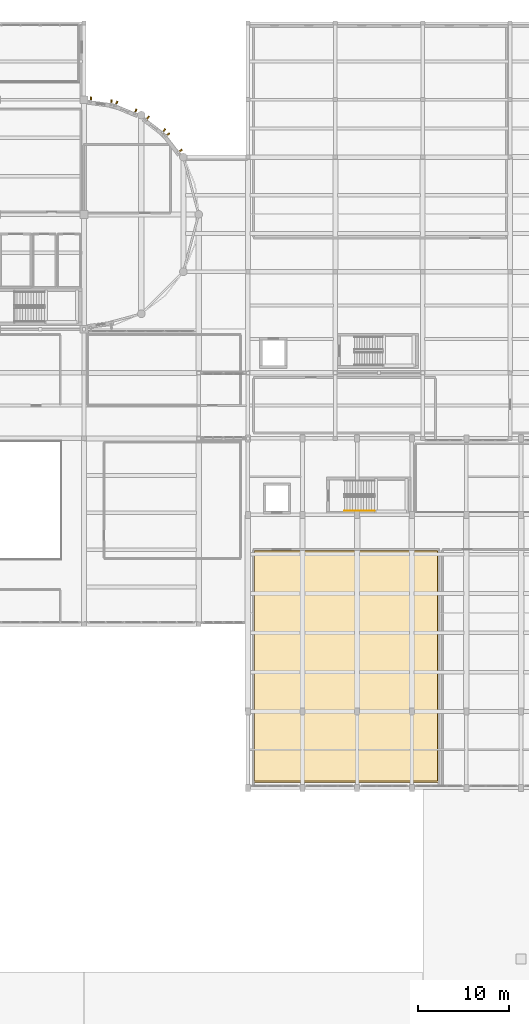
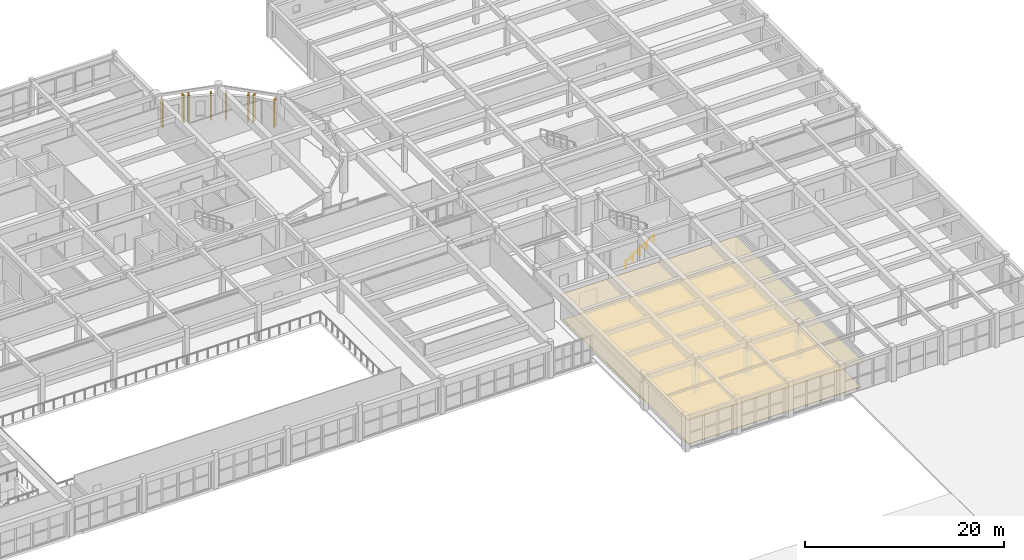
# One storey, part 91 of 92: 10 coverings, 1 railing.
"""IFC4 building model written with IfcOpenShell, lengths in metres."""

from ifc_helpers import new_model, si_unit, direction, frame, origin, origin_2d, place, context, subcontext, project, spatial, polyline, rectangle, circle, outline, extrude, material, layer, layer_set, type_object, element, save


model = new_model("IFC4")

# Units and contexts
model_context = context("Model", 3, precision=1e-05, world=origin(), true_north=direction((0.0, 1.0)))
body_context = subcontext(model_context, "Body", "Model", "MODEL_VIEW")
ifc_project = project(units=[si_unit("LENGTHUNIT", "METRE"), si_unit("AREAUNIT", "SQUARE_METRE"), si_unit("VOLUMEUNIT", "CUBIC_METRE"), si_unit("PLANEANGLEUNIT", "RADIAN"), si_unit("MASSUNIT", "GRAM", prefix="KILO")], contexts=[model_context])

# Site, building, storey
site_placement = place(None, origin())
site = spatial("IfcSite", under=ifc_project, at=site_placement, CompositionType="ELEMENT")
building_placement = place(site_placement, origin())
building = spatial("IfcBuilding", under=site, at=building_placement, Name="Tarnavel Promenade Courthouse", CompositionType="ELEMENT")
storey_placement = place(building_placement, frame((0.0, 0.0, 5.39990234375)))
storey = spatial("IfcBuildingStorey", under=building, at=storey_placement, Name="L02", CompositionType="ELEMENT", Elevation=5.39990234375)

# Railing
ifc_material_1 = material(Name="Brushed Bronze Tubular Stair Handrail")
railing_type = type_object("IfcRailingType", Name="Brushed Bronze Tubular Stair Handrail (RL-HND-0900)", PredefinedType="HANDRAIL", material=ifc_material_1)
railing_placement = place(storey_placement, frame((130.60009765625, 59.25, 0.1875)))
element("IfcRailing", 1, at=railing_placement, inside=storey, type_object=railing_type, Name="L02 ST-08 stair handrail 1", PredefinedType="HANDRAIL", context=body_context, shape_type="SweptSolid", body=[
    extrude(circle(Radius=0.02392578125, at=origin_2d()), frame((0.0, 0.0, 0.8759765625), z_axis=(0.847984204989, 0.0, 0.530021497762), x_axis=(0.0, 1.0, 0.0)), (0.0, 0.0, 1.0), 3.891357421875),
    extrude(circle(Radius=0.02099609375, at=origin_2d()), origin(), (0.0, 0.0, 1.0), 0.851806640625),
    extrude(circle(Radius=0.02099609375, at=origin_2d()), frame((0.824951171875, 0.0, 0.515625)), (0.0, 0.0, 1.0), 0.851806640625),
    extrude(circle(Radius=0.02099609375, at=origin_2d()), frame((1.64990234375, 0.0, 1.03125)), (0.0, 0.0, 1.0), 0.851806640625),
    extrude(circle(Radius=0.02099609375, at=origin_2d()), frame((2.474853515625, 0.0, 1.546875)), (0.0, 0.0, 1.0), 0.851806640625),
    extrude(circle(Radius=0.02099609375, at=origin_2d()), frame((3.2998046875, 0.0, 2.0625)), (0.0, 0.0, 1.0), 0.851806640625),
])

# Coverings
ifc_material_2 = material(Name="Engineered Smoked Oak Courtroom & Chambers Parquet")
ifc_layer_1 = layer(ifc_material_2, 0.031982421875)
ifc_layer_set_1 = layer_set([ifc_layer_1], Name="Engineered Smoked Oak Courtroom & Chambers Parquet")
covering_type_1 = type_object("IfcCoveringType", Name="Engineered Smoked Oak Courtroom & Chambers Parquet (COV-FLR-OAK-32)", PredefinedType="FLOORING", material=ifc_layer_set_1)
covering_1_placement = place(storey_placement, origin())
element("IfcCovering", 2, at=covering_1_placement, inside=storey, type_object=covering_type_1, Name="L02 High Appellate Hearing Courtroom Architectural Flooring 0014", PredefinedType="FLOORING", context=body_context, shape_type="SweptSolid", body=[
    extrude(outline(polyline([(120.75, 29.550048828125), (140.85009765625, 29.550048828125), (140.85009765625, 54.85009765625), (120.75, 54.85009765625), (120.75, 29.550048828125)])), origin(), (0.0, 0.0, 1.0), 0.031982421875),
])
ifc_material_3 = material(Name="Patinated Copper-Bronze Fluted Pier Cladding")
ifc_layer_2 = layer(ifc_material_3, 0.52001953125)
ifc_layer_set_2 = layer_set([ifc_layer_2], Name="Patinated Copper-Bronze Fluted Pier Cladding")
covering_type_2 = type_object("IfcCoveringType", Name="Patinated Copper-Bronze Fluted Pier Cladding COV-PIER-520 (520 mm)", PredefinedType="CLADDING", material=ifc_layer_set_2)
for number, where, z_axis, x_axis, name in (
    (3, (112.569580078125, 98.7763671875, 0.0), (0.0, 0.0, 1.0), (-0.608761429009, 0.793353340291, 0.0), "L02 E Drum Fluted Copper Pier 0053"),
    (4, (111.191162109375, 100.572509765625, 0.0), (0.0, 0.0, 1.0), (-0.608761429009, 0.793353340291, 0.0), "L02 E Drum Fluted Copper Pier 0054"),
):
    element("IfcCovering", number, at=place(storey_placement, frame(where, z_axis=z_axis, x_axis=x_axis)), inside=storey, type_object=covering_type_2, Name=name, PredefinedType="CLADDING", context=body_context, shape_type="SweptSolid", body=[
        extrude(rectangle(XDim=0.159912109375, YDim=0.52001953125, at=origin_2d()), origin(), (0.0, 0.0, 1.0), 3.3701171875),
    ])
for number, where, z_axis, x_axis, name in (
    (5, (110.772705078125, 100.9912109375, 0.0), (0.0, 0.0, 1.0), (-0.793353340291, 0.608761429009, 0.0), "L02 E Drum Fluted Copper Pier 0055"),
    (6, (108.976318359375, 102.369384765625, 0.0), (0.0, 0.0, 1.0), (-0.793353340291, 0.608761429009, 0.0), "L02 E Drum Fluted Copper Pier 0056"),
    (7, (107.665283203125, 103.12646484375, 0.0), (0.0, 0.0, 1.0), (-0.923879532511, 0.382683432365, 0.0), "L02 E Drum Fluted Copper Pier 0057"),
    (8, (105.573486328125, 103.992919921875, 0.0), (0.0, 0.0, 1.0), (-0.923879532511, 0.382683432365, 0.0), "L02 E Drum Fluted Copper Pier 0058"),
):
    element("IfcCovering", number, at=place(storey_placement, frame(where, z_axis=z_axis, x_axis=x_axis)), inside=storey, type_object=covering_type_2, Name=name, PredefinedType="CLADDING", context=body_context, shape_type="SweptSolid", body=[
        extrude(rectangle(XDim=0.159912109375, YDim=0.52001953125, at=origin_2d()), origin(), (0.0, 0.0, 1.0), 3.27001953125),
    ])
for number, where, z_axis, x_axis, name in (
    (9, (105.001708984375, 104.14599609375, 0.0), (0.0, 0.0, 1.0), (-0.991444861374, 0.13052619222, 0.0), "L02 E Drum Fluted Copper Pier 0059"),
    (10, (102.7568359375, 104.441650390625, 0.0), (0.0, 0.0, 1.0), (-0.991444861374, 0.13052619222, 0.0), "L02 E Drum Fluted Copper Pier 0060"),
):
    element("IfcCovering", number, at=place(storey_placement, frame(where, z_axis=z_axis, x_axis=x_axis)), inside=storey, type_object=covering_type_2, Name=name, PredefinedType="CLADDING", context=body_context, shape_type="SweptSolid", body=[
        extrude(rectangle(XDim=0.159912109375, YDim=0.52001953125, at=origin_2d()), origin(), (0.0, 0.0, 1.0), 3.3701171875),
    ])
ifc_material_4 = material(Name="Slatted Acoustic White Oak Baffle Ceiling")
ifc_layer_3 = layer(ifc_material_4, 0.06494140625)
ifc_layer_set_3 = layer_set([ifc_layer_3], Name="Slatted Acoustic White Oak Baffle Ceiling")
covering_type_3 = type_object("IfcCoveringType", Name="Slatted Acoustic White Oak Baffle Ceiling (COV-CLG-OAK-65)", PredefinedType="CEILING", material=ifc_layer_set_3)
covering_2_placement = place(storey_placement, frame((0.0, 0.0, 3.03515625)))
element("IfcCovering", 11, at=covering_2_placement, inside=storey, type_object=covering_type_3, Name="L02 High Appellate Hearing Courtroom Acoustic Ceiling 0014", PredefinedType="CEILING", context=body_context, shape_type="SweptSolid", body=[
    extrude(outline(polyline([(120.60009765625, 29.39990234375), (141.0, 29.39990234375), (141.0, 55.0), (120.60009765625, 55.0), (120.60009765625, 29.39990234375)])), origin(), (0.0, 0.0, 1.0), 0.06494140625),
])

save(model, "model.ifc")
